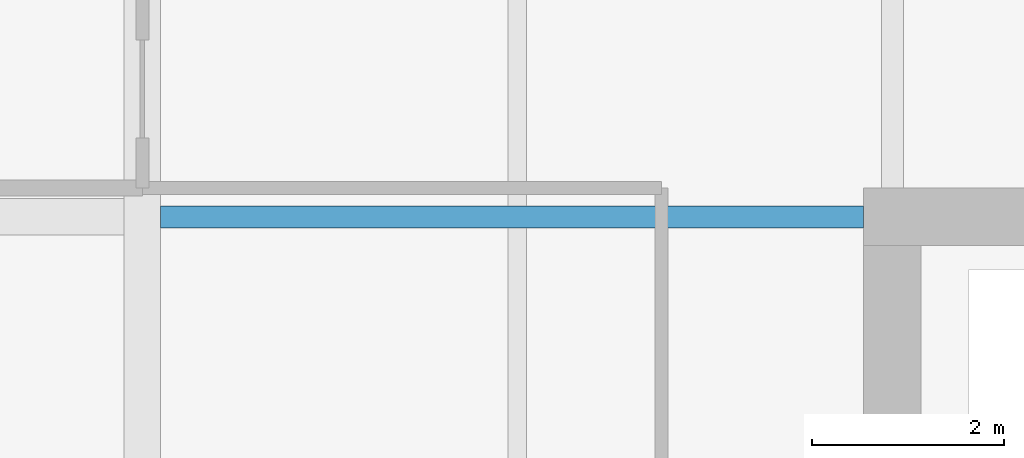
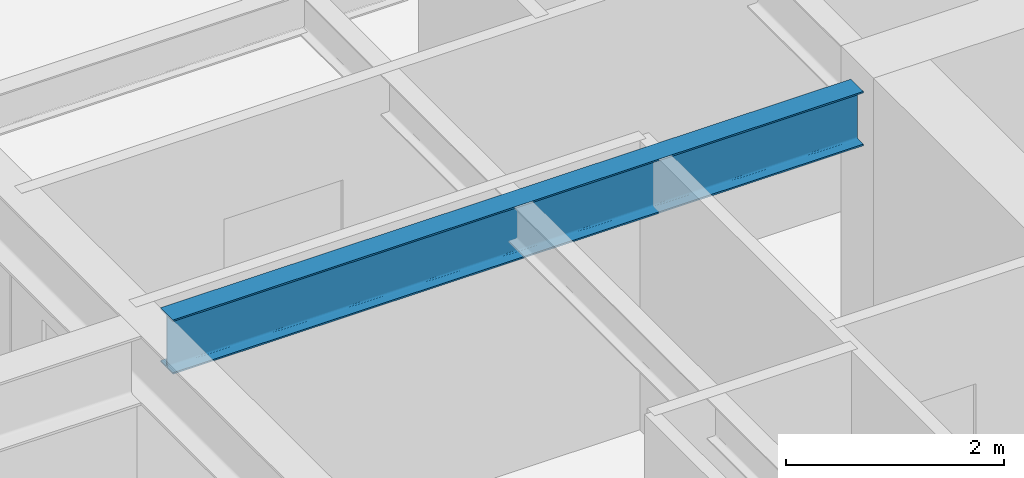
# One storey, part 17 of 34: 1 beam.
"""IFC4 building model written with IfcOpenShell, lengths in metres."""

from ifc_helpers import new_model, si_unit, direction, frame, origin, origin_2d, place, context, subcontext, project, spatial, i_section, extrude, material, material_profile, profile_set, type_object, element, save


model = new_model("IFC4")

# Units and contexts
model_context = context("Model", 3, precision=1e-05, world=origin(), true_north=direction((0.0, 1.0)))
body_context = subcontext(model_context, "Body", "Model", "MODEL_VIEW")
ifc_project = project(units=[si_unit("LENGTHUNIT", "METRE"), si_unit("AREAUNIT", "SQUARE_METRE"), si_unit("VOLUMEUNIT", "CUBIC_METRE"), si_unit("PLANEANGLEUNIT", "RADIAN"), si_unit("MASSUNIT", "GRAM", prefix="KILO")], contexts=[model_context])

# Site, building, storey
site_placement = place(None, origin())
site = spatial("IfcSite", under=ifc_project, at=site_placement, CompositionType="ELEMENT")
building_placement = place(site_placement, origin())
building = spatial("IfcBuilding", under=site, at=building_placement, Name="Drelvath Grand Hotel", CompositionType="ELEMENT")
storey_placement = place(building_placement, frame((0.0, 0.0, 109.300048828125)))
storey = spatial("IfcBuildingStorey", under=building, at=storey_placement, Name="L27", CompositionType="ELEMENT", Elevation=109.300048828125)

# Beam
ifc_material = material(Name="Steel ASTM A992 Gr 50", Category="steel")
ifc_material_profile = material_profile(ifc_material, i_section(OverallWidth=0.228271484375, OverallDepth=0.607666015625, WebThickness=0.01123046875, FlangeThickness=0.017333984375, FilletRadius=0.02001953125, at=origin_2d()), Name="W24X76")
ifc_profile_set = profile_set([ifc_material_profile], Name="Steel ASTM A992 Gr 50")
beam_type = type_object("IfcBeamType", Name="Primary Floor Girder W24X76", PredefinedType="BEAM", material=ifc_profile_set)
beam_placement = place(storey_placement, frame((-16.009765625, 35.39990234375, 2.93603515625), z_axis=(1.0, 0.0, 0.0), x_axis=(0.0, 1.0, 0.0)))
element("IfcBeam", 1, at=beam_placement, inside=storey, type_object=beam_type, Name="L27 West Core Tie F", PredefinedType="BEAM", context=body_context, shape_type="SweptSolid", body=[
    extrude(i_section(OverallWidth=0.228271484375, OverallDepth=0.607666015625, WebThickness=0.01123046875, FlangeThickness=0.017333984375, FilletRadius=0.02001953125, at=origin_2d()), origin(), (0.0, 0.0, 1.0), 7.309814453125),
])

save(model, "model.ifc")
